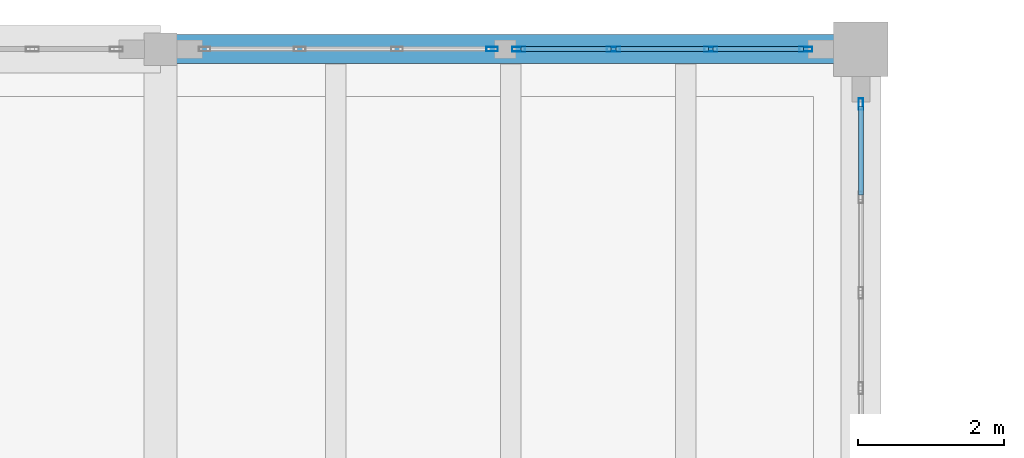
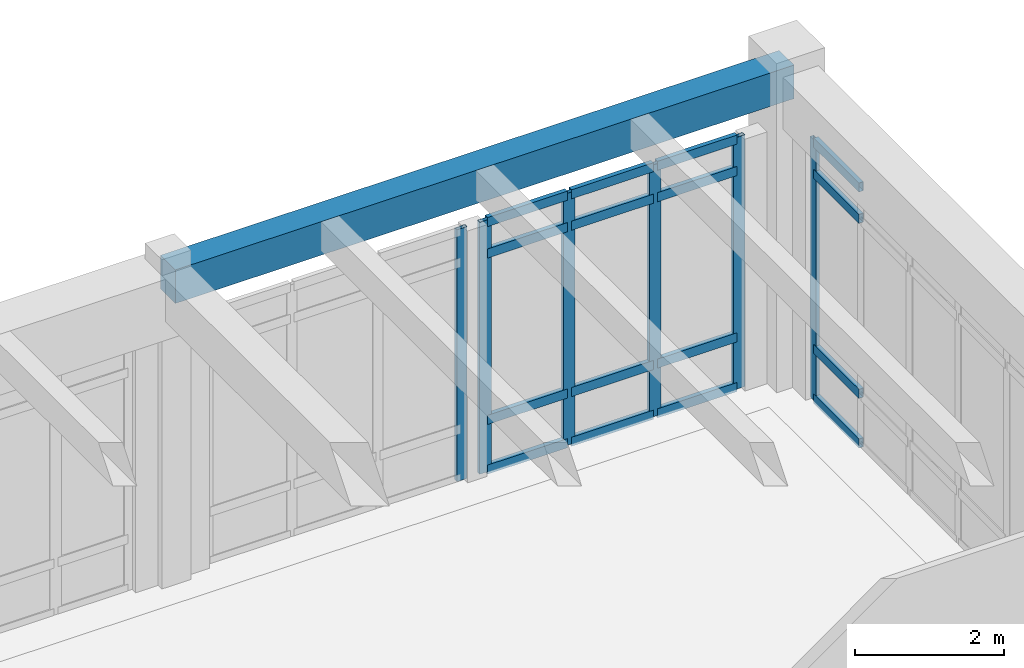
# One storey, part 87 of 138: 22 members, 1 beam, 3 elements without a shape of their own.
"""IFC4 building model written with IfcOpenShell, lengths in metres."""

from ifc_helpers import new_model, si_unit, direction, frame, origin, origin_2d, place, context, subcontext, project, spatial, rectangle, hollow_rectangle, extrude, material, layer, layer_set, material_profile, profile_set, type_object, element, aggregate, save


model = new_model("IFC4")

# Units and contexts
model_context = context("Model", 3, precision=1e-05, world=origin(), true_north=direction((0.0, 1.0)))
body_context = subcontext(model_context, "Body", "Model", "MODEL_VIEW")
ifc_project = project(units=[si_unit("LENGTHUNIT", "METRE"), si_unit("AREAUNIT", "SQUARE_METRE"), si_unit("VOLUMEUNIT", "CUBIC_METRE"), si_unit("PLANEANGLEUNIT", "RADIAN"), si_unit("MASSUNIT", "GRAM", prefix="KILO")], contexts=[model_context])

# Site, building, storey
site_placement = place(None, origin())
site = spatial("IfcSite", under=ifc_project, at=site_placement, CompositionType="ELEMENT")
building_placement = place(site_placement, origin())
building = spatial("IfcBuilding", under=site, at=building_placement, Name="Fikremerkos Civic Library", CompositionType="ELEMENT")
storey_placement = place(building_placement, origin())
storey = spatial("IfcBuildingStorey", under=building, at=storey_placement, Name="L00", CompositionType="ELEMENT", Elevation=0.0)

# Curtain wall, members
ifc_material_1 = material(Name="Anodized aluminium Frame", Category="aluminium")
ifc_layer_1 = layer(ifc_material_1, 0.159912109375, Name="Anodized aluminium Frame")
ifc_layer_set_1 = layer_set([ifc_layer_1], Name="Anodized aluminium Frame")
curtain_wall_type_1 = type_object("IfcCurtainWallType", Name="Unitised curtain wall CW-01 3600x3600", PredefinedType="USERDEFINED", material=ifc_layer_set_1)
curtain_wall_1_placement = place(storey_placement, origin())
curtain_wall_1 = element("IfcCurtainWall", 1, at=curtain_wall_1_placement, inside=storey, type_object=curtain_wall_type_1, Name="Unitised curtain wall CW-01 L00 #55", ObjectType="UNITISED CURTAIN WALL", PredefinedType="USERDEFINED")
ifc_material_profile_1 = material_profile(ifc_material_1, hollow_rectangle(XDim=0.06494140625, YDim=0.179931640625, WallThickness=0.00439453125, at=origin_2d()), Name="ALU 180x65x4.5")
ifc_profile_set_1 = profile_set([ifc_material_profile_1], Name="Anodized aluminium Frame")
member_type_1 = type_object("IfcMemberType", Name="Curtain mullion CWM-01 ALU 180x65x4.5", PredefinedType="MULLION", material=ifc_profile_set_1)
member_1_placement = place(storey_placement, frame((129.70751953125, 117.60009765625, 0.0), z_axis=(0.0, 0.0, 1.0), x_axis=(0.0, 1.0, 0.0)))
member_1 = element("IfcMember", 2, at=member_1_placement, type_object=member_type_1, Name="CW-01 mullion 1", PredefinedType="MULLION", context=body_context, shape_type="SweptSolid", body=[
    extrude(hollow_rectangle(XDim=0.06494140625, YDim=0.179931640625, WallThickness=0.00439453125, at=origin_2d()), origin(), (0.0, 0.0, 1.0), 4.1298828125),
])
member_2_placement = place(storey_placement, frame((131.009033203125, 117.60009765625, 0.0), z_axis=(0.0, 0.0, 1.0), x_axis=(0.0, 1.0, 0.0)))
member_2 = element("IfcMember", 3, at=member_2_placement, type_object=member_type_1, Name="CW-01 mullion 2", PredefinedType="MULLION", context=body_context, shape_type="SweptSolid", body=[
    extrude(hollow_rectangle(XDim=0.06494140625, YDim=0.179931640625, WallThickness=0.00439453125, at=origin_2d()), origin(), (0.0, 0.0, 1.0), 4.1298828125),
])
member_3_placement = place(storey_placement, frame((132.343017578125, 117.60009765625, 0.0), z_axis=(0.0, 0.0, 1.0), x_axis=(0.0, 1.0, 0.0)))
member_3 = element("IfcMember", 4, at=member_3_placement, type_object=member_type_1, Name="CW-01 mullion 3", PredefinedType="MULLION", context=body_context, shape_type="SweptSolid", body=[
    extrude(hollow_rectangle(XDim=0.06494140625, YDim=0.179931640625, WallThickness=0.00439453125, at=origin_2d()), origin(), (0.0, 0.0, 1.0), 4.1298828125),
])
member_4_placement = place(storey_placement, frame((133.64453125, 117.60009765625, 0.0), z_axis=(0.0, 0.0, 1.0), x_axis=(0.0, 1.0, 0.0)))
member_4 = element("IfcMember", 5, at=member_4_placement, type_object=member_type_1, Name="CW-01 mullion 4", PredefinedType="MULLION", context=body_context, shape_type="SweptSolid", body=[
    extrude(hollow_rectangle(XDim=0.06494140625, YDim=0.179931640625, WallThickness=0.00439453125, at=origin_2d()), origin(), (0.0, 0.0, 1.0), 4.1298828125),
])

# Curtain wall, member
ifc_layer_2 = layer(ifc_material_1, 0.159912109375, Name="Anodized aluminium Frame")
ifc_layer_set_2 = layer_set([ifc_layer_2], Name="Anodized aluminium Frame")
curtain_wall_type_2 = type_object("IfcCurtainWallType", Name="Unitised curtain wall CW-18 2700x3400", PredefinedType="USERDEFINED", material=ifc_layer_set_2)
curtain_wall_2_placement = place(storey_placement, origin())
curtain_wall_2 = element("IfcCurtainWall", 6, at=curtain_wall_2_placement, inside=storey, type_object=curtain_wall_type_2, Name="Unitised curtain wall CW-18 L00 #54", ObjectType="UNITISED CURTAIN WALL", PredefinedType="USERDEFINED")
ifc_material_profile_2 = material_profile(ifc_material_1, hollow_rectangle(XDim=0.06005859375, YDim=0.159912109375, WallThickness=0.00390625, at=origin_2d()), Name="ALU 160x60x4")
ifc_profile_set_2 = profile_set([ifc_material_profile_2], Name="Anodized aluminium Frame")
member_type_2 = type_object("IfcMemberType", Name="Curtain mullion CWM-02 ALU 160x60x4", PredefinedType="MULLION", material=ifc_profile_set_2)
member_5_placement = place(storey_placement, frame((129.344970703125, 117.60009765625, 0.0), z_axis=(0.0, 0.0, 1.0), x_axis=(0.0, 1.0, 0.0)))
member_5 = element("IfcMember", 7, at=member_5_placement, type_object=member_type_2, Name="CW-18 mullion 4", PredefinedType="MULLION", context=body_context, shape_type="SweptSolid", body=[
    extrude(hollow_rectangle(XDim=0.06005859375, YDim=0.159912109375, WallThickness=0.00390625, at=origin_2d()), origin(), (0.0, 0.0, 1.0), 4.1298828125),
])
aggregate(curtain_wall_2, [member_5])

ifc_layer_3 = layer(ifc_material_1, 0.159912109375, Name="Anodized aluminium Frame")
ifc_layer_set_3 = layer_set([ifc_layer_3], Name="Anodized aluminium Frame")
curtain_wall_type_3 = type_object("IfcCurtainWallType", Name="Unitised curtain wall CW-02 3900x3600", PredefinedType="USERDEFINED", material=ifc_layer_set_3)
curtain_wall_3_placement = place(storey_placement, origin())
curtain_wall_3 = element("IfcCurtainWall", 8, at=curtain_wall_3_placement, inside=storey, type_object=curtain_wall_type_3, Name="Unitised curtain wall CW-02 L00 #56", ObjectType="UNITISED CURTAIN WALL", PredefinedType="USERDEFINED")
member_6_placement = place(storey_placement, frame((134.39990234375, 116.846923828125, 0.0), z_axis=(0.0, 0.0, 1.0), x_axis=(1.0, 0.0, 0.0)))
member_6 = element("IfcMember", 9, at=member_6_placement, type_object=member_type_2, Name="CW-02 mullion 1", PredefinedType="MULLION", context=body_context, shape_type="SweptSolid", body=[
    extrude(hollow_rectangle(XDim=0.06005859375, YDim=0.159912109375, WallThickness=0.00390625, at=origin_2d()), origin(), (0.0, 0.0, 1.0), 4.27001953125),
])

# Member
ifc_material_profile_3 = material_profile(ifc_material_1, hollow_rectangle(XDim=0.070068359375, YDim=0.14990234375, WallThickness=0.00439453125, at=origin_2d()), Name="ALU 150x70x4.5")
ifc_profile_set_3 = profile_set([ifc_material_profile_3], Name="Anodized aluminium Frame")
member_type_3 = type_object("IfcMemberType", Name="Curtain transom CWT-01 ALU 150x70x4.5", PredefinedType="USERDEFINED", material=ifc_profile_set_3)
member_7_placement = place(storey_placement, frame((129.739990234375, 117.60009765625, 0.034912109375), z_axis=(1.0, 0.0, 0.0), x_axis=(0.0, 1.0, 0.0)))
member_7 = element("IfcMember", 10, at=member_7_placement, type_object=member_type_3, Name="CW-01 transom 1.1", ObjectType="TRANSOM", PredefinedType="USERDEFINED", context=body_context, shape_type="SweptSolid", body=[
    extrude(hollow_rectangle(XDim=0.070068359375, YDim=0.14990234375, WallThickness=0.00439453125, at=origin_2d()), origin(), (0.0, 0.0, 1.0), 1.236572265625),
])

member_8_placement = place(storey_placement, frame((129.739990234375, 117.60009765625, 0.85009765625), z_axis=(1.0, 0.0, 0.0), x_axis=(0.0, 1.0, 0.0)))
member_8 = element("IfcMember", 11, at=member_8_placement, type_object=member_type_3, Name="CW-01 transom 1.2", ObjectType="TRANSOM", PredefinedType="USERDEFINED", context=body_context, shape_type="SweptSolid", body=[
    extrude(hollow_rectangle(XDim=0.070068359375, YDim=0.14990234375, WallThickness=0.00439453125, at=origin_2d()), origin(), (0.0, 0.0, 1.0), 1.236572265625),
])

member_9_placement = place(storey_placement, frame((129.739990234375, 117.60009765625, 3.580078125), z_axis=(1.0, 0.0, 0.0), x_axis=(0.0, 1.0, 0.0)))
member_9 = element("IfcMember", 12, at=member_9_placement, type_object=member_type_3, Name="CW-01 transom 1.3", ObjectType="TRANSOM", PredefinedType="USERDEFINED", context=body_context, shape_type="SweptSolid", body=[
    extrude(hollow_rectangle(XDim=0.070068359375, YDim=0.14990234375, WallThickness=0.00439453125, at=origin_2d()), origin(), (0.0, 0.0, 1.0), 1.236572265625),
])

member_10_placement = place(storey_placement, frame((129.739990234375, 117.60009765625, 4.094970703125), z_axis=(1.0, 0.0, 0.0), x_axis=(0.0, 1.0, 0.0)))
member_10 = element("IfcMember", 13, at=member_10_placement, type_object=member_type_3, Name="CW-01 transom 1.4", ObjectType="TRANSOM", PredefinedType="USERDEFINED", context=body_context, shape_type="SweptSolid", body=[
    extrude(hollow_rectangle(XDim=0.070068359375, YDim=0.14990234375, WallThickness=0.00439453125, at=origin_2d()), origin(), (0.0, 0.0, 1.0), 1.236572265625),
])

member_11_placement = place(storey_placement, frame((131.04150390625, 117.60009765625, 0.034912109375), z_axis=(1.0, 0.0, 0.0), x_axis=(0.0, 1.0, 0.0)))
member_11 = element("IfcMember", 14, at=member_11_placement, type_object=member_type_3, Name="CW-01 transom 2.1", ObjectType="TRANSOM", PredefinedType="USERDEFINED", context=body_context, shape_type="SweptSolid", body=[
    extrude(hollow_rectangle(XDim=0.070068359375, YDim=0.14990234375, WallThickness=0.00439453125, at=origin_2d()), origin(), (0.0, 0.0, 1.0), 1.26904296875),
])

member_12_placement = place(storey_placement, frame((131.04150390625, 117.60009765625, 0.85009765625), z_axis=(1.0, 0.0, 0.0), x_axis=(0.0, 1.0, 0.0)))
member_12 = element("IfcMember", 15, at=member_12_placement, type_object=member_type_3, Name="CW-01 transom 2.2", ObjectType="TRANSOM", PredefinedType="USERDEFINED", context=body_context, shape_type="SweptSolid", body=[
    extrude(hollow_rectangle(XDim=0.070068359375, YDim=0.14990234375, WallThickness=0.00439453125, at=origin_2d()), origin(), (0.0, 0.0, 1.0), 1.26904296875),
])

member_13_placement = place(storey_placement, frame((131.04150390625, 117.60009765625, 3.580078125), z_axis=(1.0, 0.0, 0.0), x_axis=(0.0, 1.0, 0.0)))
member_13 = element("IfcMember", 16, at=member_13_placement, type_object=member_type_3, Name="CW-01 transom 2.3", ObjectType="TRANSOM", PredefinedType="USERDEFINED", context=body_context, shape_type="SweptSolid", body=[
    extrude(hollow_rectangle(XDim=0.070068359375, YDim=0.14990234375, WallThickness=0.00439453125, at=origin_2d()), origin(), (0.0, 0.0, 1.0), 1.26904296875),
])

member_14_placement = place(storey_placement, frame((131.04150390625, 117.60009765625, 4.094970703125), z_axis=(1.0, 0.0, 0.0), x_axis=(0.0, 1.0, 0.0)))
member_14 = element("IfcMember", 17, at=member_14_placement, type_object=member_type_3, Name="CW-01 transom 2.4", ObjectType="TRANSOM", PredefinedType="USERDEFINED", context=body_context, shape_type="SweptSolid", body=[
    extrude(hollow_rectangle(XDim=0.070068359375, YDim=0.14990234375, WallThickness=0.00439453125, at=origin_2d()), origin(), (0.0, 0.0, 1.0), 1.26904296875),
])

member_15_placement = place(storey_placement, frame((132.37548828125, 117.60009765625, 0.034912109375), z_axis=(1.0, 0.0, 0.0), x_axis=(0.0, 1.0, 0.0)))
member_15 = element("IfcMember", 18, at=member_15_placement, type_object=member_type_3, Name="CW-01 transom 3.1", ObjectType="TRANSOM", PredefinedType="USERDEFINED", context=body_context, shape_type="SweptSolid", body=[
    extrude(hollow_rectangle(XDim=0.070068359375, YDim=0.14990234375, WallThickness=0.00439453125, at=origin_2d()), origin(), (0.0, 0.0, 1.0), 1.236572265625),
])

member_16_placement = place(storey_placement, frame((132.37548828125, 117.60009765625, 0.85009765625), z_axis=(1.0, 0.0, 0.0), x_axis=(0.0, 1.0, 0.0)))
member_16 = element("IfcMember", 19, at=member_16_placement, type_object=member_type_3, Name="CW-01 transom 3.2", ObjectType="TRANSOM", PredefinedType="USERDEFINED", context=body_context, shape_type="SweptSolid", body=[
    extrude(hollow_rectangle(XDim=0.070068359375, YDim=0.14990234375, WallThickness=0.00439453125, at=origin_2d()), origin(), (0.0, 0.0, 1.0), 1.236572265625),
])

member_17_placement = place(storey_placement, frame((132.37548828125, 117.60009765625, 3.580078125), z_axis=(1.0, 0.0, 0.0), x_axis=(0.0, 1.0, 0.0)))
member_17 = element("IfcMember", 20, at=member_17_placement, type_object=member_type_3, Name="CW-01 transom 3.3", ObjectType="TRANSOM", PredefinedType="USERDEFINED", context=body_context, shape_type="SweptSolid", body=[
    extrude(hollow_rectangle(XDim=0.070068359375, YDim=0.14990234375, WallThickness=0.00439453125, at=origin_2d()), origin(), (0.0, 0.0, 1.0), 1.236572265625),
])

member_18_placement = place(storey_placement, frame((132.37548828125, 117.60009765625, 4.094970703125), z_axis=(1.0, 0.0, 0.0), x_axis=(0.0, 1.0, 0.0)))
member_18 = element("IfcMember", 21, at=member_18_placement, type_object=member_type_3, Name="CW-01 transom 3.4", ObjectType="TRANSOM", PredefinedType="USERDEFINED", context=body_context, shape_type="SweptSolid", body=[
    extrude(hollow_rectangle(XDim=0.070068359375, YDim=0.14990234375, WallThickness=0.00439453125, at=origin_2d()), origin(), (0.0, 0.0, 1.0), 1.236572265625),
])

aggregate(curtain_wall_1, [member_1, member_2, member_3, member_4, member_7, member_8, member_9, member_10, member_11, member_12, member_13, member_14, member_15, member_16, member_17, member_18])

member_19_placement = place(storey_placement, frame((134.39990234375, 116.81689453125, 0.034912109375), z_axis=(0.0, -1.0, 0.0), x_axis=(1.0, 0.0, 0.0)))
member_19 = element("IfcMember", 22, at=member_19_placement, type_object=member_type_3, Name="CW-02 transom 1.1", ObjectType="TRANSOM", PredefinedType="USERDEFINED", context=body_context, shape_type="SweptSolid", body=[
    extrude(hollow_rectangle(XDim=0.070068359375, YDim=0.14990234375, WallThickness=0.00439453125, at=origin_2d()), origin(), (0.0, 0.0, 1.0), 1.218505859375),
])

member_20_placement = place(storey_placement, frame((134.39990234375, 116.81689453125, 0.85009765625), z_axis=(0.0, -1.0, 0.0), x_axis=(1.0, 0.0, 0.0)))
member_20 = element("IfcMember", 23, at=member_20_placement, type_object=member_type_3, Name="CW-02 transom 1.2", ObjectType="TRANSOM", PredefinedType="USERDEFINED", context=body_context, shape_type="SweptSolid", body=[
    extrude(hollow_rectangle(XDim=0.070068359375, YDim=0.14990234375, WallThickness=0.00439453125, at=origin_2d()), origin(), (0.0, 0.0, 1.0), 1.218505859375),
])

member_21_placement = place(storey_placement, frame((134.39990234375, 116.81689453125, 3.719970703125), z_axis=(0.0, -1.0, 0.0), x_axis=(1.0, 0.0, 0.0)))
member_21 = element("IfcMember", 24, at=member_21_placement, type_object=member_type_3, Name="CW-02 transom 1.3", ObjectType="TRANSOM", PredefinedType="USERDEFINED", context=body_context, shape_type="SweptSolid", body=[
    extrude(hollow_rectangle(XDim=0.070068359375, YDim=0.14990234375, WallThickness=0.00439453125, at=origin_2d()), origin(), (0.0, 0.0, 1.0), 1.218505859375),
])

member_22_placement = place(storey_placement, frame((134.39990234375, 116.81689453125, 4.235107421875), z_axis=(0.0, -1.0, 0.0), x_axis=(1.0, 0.0, 0.0)))
member_22 = element("IfcMember", 25, at=member_22_placement, type_object=member_type_3, Name="CW-02 transom 1.4", ObjectType="TRANSOM", PredefinedType="USERDEFINED", context=body_context, shape_type="SweptSolid", body=[
    extrude(hollow_rectangle(XDim=0.070068359375, YDim=0.14990234375, WallThickness=0.00439453125, at=origin_2d()), origin(), (0.0, 0.0, 1.0), 1.218505859375),
])

aggregate(curtain_wall_3, [member_6, member_19, member_20, member_21, member_22])

# Beam
ifc_material_2 = material(Name="Concrete C40/50", Category="concrete")
ifc_material_profile_4 = material_profile(ifc_material_2, rectangle(XDim=0.39990234375, YDim=0.550048828125, at=origin_2d()), Name="RC 400x550")
ifc_profile_set_4 = profile_set([ifc_material_profile_4], Name="Concrete C40/50")
beam_type = type_object("IfcBeamType", Name="Primary girder BM-26 RC 400x550", PredefinedType="BEAM", material=ifc_profile_set_4)
beam_placement = place(storey_placement, frame((124.800048828125, 117.60009765625, 4.864990234375), z_axis=(1.0, 0.0, 0.0), x_axis=(0.0, 1.0, 0.0)))
element("IfcBeam", 26, at=beam_placement, inside=storey, type_object=beam_type, Name="Primary girder BM-26 L00 grid N", PredefinedType="BEAM", context=body_context, shape_type="SweptSolid", body=[
    extrude(rectangle(XDim=0.39990234375, YDim=0.550048828125, at=origin_2d()), origin(), (0.0, 0.0, 1.0), 9.599853515625),
])

save(model, "model.ifc")
